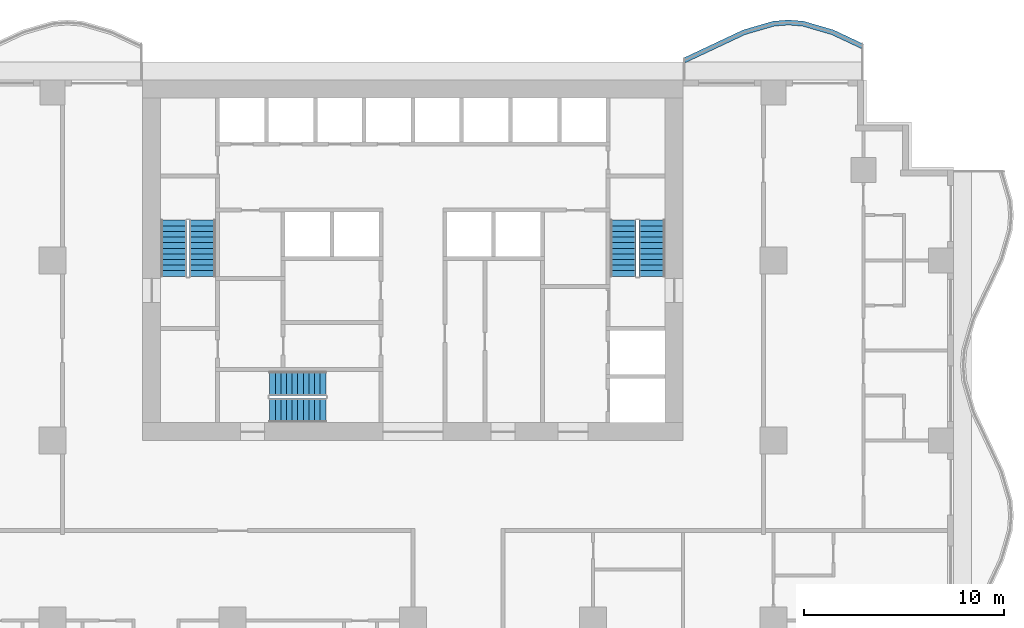
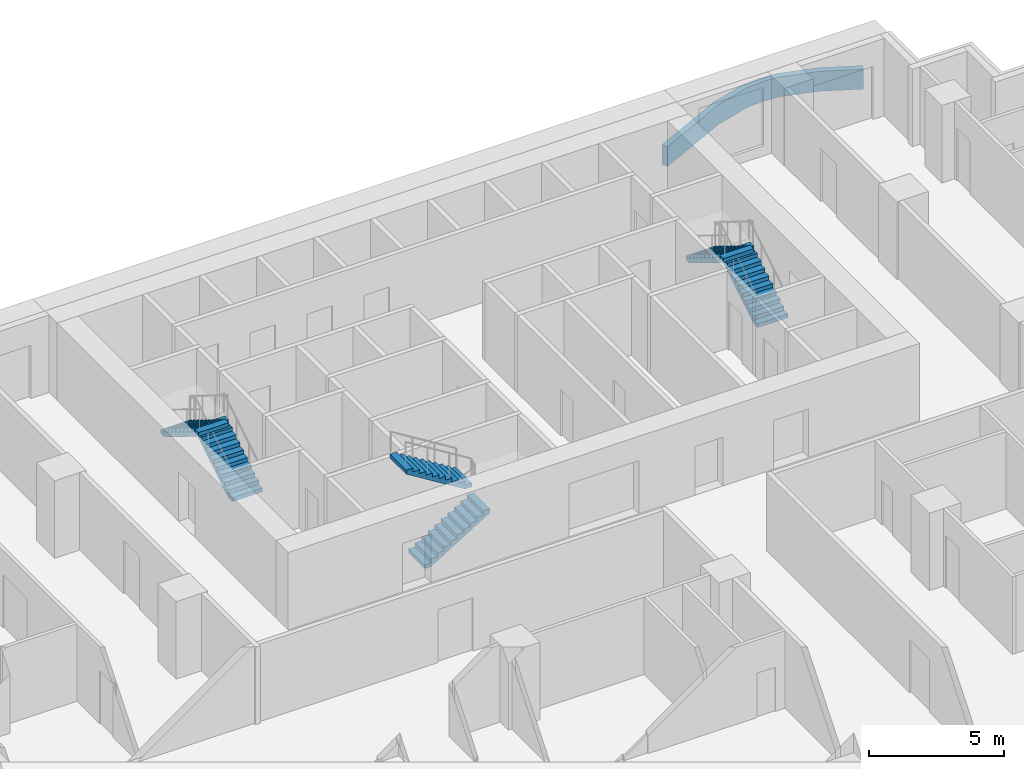
# One storey, part 7 of 14: 6 stair flights, 1 wall, 3 elements without a shape of their own.
"""IFC4 building model written with IfcOpenShell, lengths in metres."""

from ifc_helpers import new_model, si_unit, direction, frame, origin, place, context, subcontext, project, spatial, polyline, outline, extrude, material, layer, layer_set, type_object, element, aggregate, save


model = new_model("IFC4")

# Units and contexts
model_context = context("Model", 3, precision=1e-05, world=origin(), true_north=direction((0.0, 1.0)))
body_context = subcontext(model_context, "Body", "Model", "MODEL_VIEW")
ifc_project = project(units=[si_unit("LENGTHUNIT", "METRE"), si_unit("AREAUNIT", "SQUARE_METRE"), si_unit("VOLUMEUNIT", "CUBIC_METRE"), si_unit("PLANEANGLEUNIT", "RADIAN"), si_unit("MASSUNIT", "GRAM", prefix="KILO")], contexts=[model_context])

# Site, building, storey
site_placement = place(None, origin())
site = spatial("IfcSite", under=ifc_project, at=site_placement, CompositionType="ELEMENT")
building_placement = place(site_placement, origin())
building = spatial("IfcBuilding", under=site, at=building_placement, Name="Orbiselva Terraces", CompositionType="ELEMENT")
storey_placement = place(building_placement, frame((0.0, 0.0, 107.4)))
storey = spatial("IfcBuildingStorey", under=building, at=storey_placement, Name="L27", CompositionType="ELEMENT", Elevation=107.4)

# Wall
ifc_material = material(Name="Concrete C40/50", Category="concrete")
ifc_layer = layer(ifc_material, 0.25)
ifc_layer_set = layer_set([ifc_layer], Name="Concrete C40/50")
wall_type = type_object("IfcWallType", Name="ENV-PLANTER-250x900", PredefinedType="USERDEFINED", material=ifc_layer_set)
wall_placement = place(storey_placement, origin())
element("IfcWall", 1, at=wall_placement, inside=storey, type_object=wall_type, Name="Balcony planter L27 NE", ObjectType="PLANTER", PredefinedType="USERDEFINED", context=body_context, shape_type="SweptSolid", body=[
    extrude(outline(polyline([(22.5, 24.3), (21.0, 25.005342), (19.5, 25.441268), (18.75, 25.5), (18.0, 25.441268), (16.5, 25.005342), (15.0, 24.3), (13.5, 23.594658), (13.606383, 23.368422), (15.106383, 24.073764), (16.588618, 24.770753), (18.045114, 25.194035), (18.75, 25.249235), (19.454886, 25.194035), (20.911382, 24.770753), (22.393617, 24.073764), (22.5, 24.3)])), origin(), (0.0, 0.0, 1.0), 0.9),
])

# Stair, stair flights
stair_type_1 = type_object("IfcStairType", Name="CORE-STAIR-1200", PredefinedType="HALF_TURN_STAIR", material=ifc_material)
stair_1_placement = place(storey_placement, origin())
stair_1 = element("IfcStair", 2, at=stair_1_placement, inside=storey, type_object=stair_type_1, Name="L27 Exit Stair S3", PredefinedType="HALF_TURN_STAIR")
stair_flight_type_1 = type_object("IfcStairFlightType", Name="CORE-STAIR-FLIGHT-1200", PredefinedType="STRAIGHT", material=ifc_material)
stair_flight_1_placement = place(storey_placement, frame((-7.15, 6.0, 0.0), z_axis=(0.0, 0.0, 1.0), x_axis=(1.0, 0.0, 0.0)))
stair_flight_1 = element("IfcStairFlight", 3, at=stair_flight_1_placement, type_object=stair_flight_type_1, Name="S3 flight 1", NumberOfRisers=11, NumberOfTreads=10, PredefinedType="STRAIGHT", RiserHeight=0.172727273, TreadLength=0.28, context=body_context, shape_type="SweptSolid", body=[
    extrude(outline(polyline([(0.0, 0.0), (0.0, 0.172727), (0.28, 0.172727), (0.28, 0.345455), (0.56, 0.345455), (0.56, 0.518182), (0.84, 0.518182), (0.84, 0.690909), (1.12, 0.690909), (1.12, 0.863636), (1.4, 0.863636), (1.4, 1.036364), (1.68, 1.036364), (1.68, 1.209091), (1.96, 1.209091), (1.96, 1.381818), (2.24, 1.381818), (2.24, 1.554545), (2.52, 1.554545), (2.52, 1.727273), (2.8, 1.727273), (2.8, 1.9), (2.8, 1.551028), (0.285702, 0.0), (0.0, 0.0)])), frame((0.0, 0.6, 0.0), z_axis=(0.0, -1.0, 0.0), x_axis=(1.0, 0.0, 0.0)), (0.0, 0.0, 1.0), 1.2),
])
stair_flight_2_placement = place(storey_placement, frame((-4.35, 7.35, 1.9), z_axis=(0.0, 0.0, 1.0), x_axis=(-1.0, 0.0, 0.0)))
stair_flight_2 = element("IfcStairFlight", 4, at=stair_flight_2_placement, type_object=stair_flight_type_1, Name="S3 flight 2", NumberOfRisers=11, NumberOfTreads=10, PredefinedType="STRAIGHT", RiserHeight=0.172727273, TreadLength=0.28, context=body_context, shape_type="SweptSolid", body=[
    extrude(outline(polyline([(0.0, 0.0), (0.0, 0.172727), (0.28, 0.172727), (0.28, 0.345455), (0.56, 0.345455), (0.56, 0.518182), (0.84, 0.518182), (0.84, 0.690909), (1.12, 0.690909), (1.12, 0.863636), (1.4, 0.863636), (1.4, 1.036364), (1.68, 1.036364), (1.68, 1.209091), (1.96, 1.209091), (1.96, 1.381818), (2.24, 1.381818), (2.24, 1.554545), (2.52, 1.554545), (2.52, 1.727273), (2.8, 1.727273), (2.8, 1.9), (2.8, 1.551028), (0.285702, 0.0), (0.0, 0.0)])), frame((0.0, 0.6, 0.0), z_axis=(0.0, -1.0, 0.0), x_axis=(1.0, 0.0, 0.0)), (0.0, 0.0, 1.0), 1.2),
])
aggregate(stair_1, [stair_flight_1, stair_flight_2])

stair_type_2 = type_object("IfcStairType", Name="CORE-STAIR-1300", PredefinedType="HALF_TURN_STAIR", material=ifc_material)
stair_2_placement = place(storey_placement, origin())
stair_2 = element("IfcStair", 5, at=stair_2_placement, inside=storey, type_object=stair_type_2, Name="L27 Exit Stair S1", PredefinedType="HALF_TURN_STAIR")
stair_flight_type_2 = type_object("IfcStairFlightType", Name="CORE-STAIR-FLIGHT-1300", PredefinedType="STRAIGHT", material=ifc_material)
stair_flight_3_placement = place(storey_placement, frame((-10.5, 12.7, 0.0), z_axis=(0.0, 0.0, 1.0), x_axis=(0.0, 1.0, 0.0)))
stair_flight_3 = element("IfcStairFlight", 6, at=stair_flight_3_placement, type_object=stair_flight_type_2, Name="S1 flight 1", NumberOfRisers=11, NumberOfTreads=10, PredefinedType="STRAIGHT", RiserHeight=0.172727273, TreadLength=0.28, context=body_context, shape_type="SweptSolid", body=[
    extrude(outline(polyline([(0.0, 0.0), (0.0, 0.172727), (0.28, 0.172727), (0.28, 0.345455), (0.56, 0.345455), (0.56, 0.518182), (0.84, 0.518182), (0.84, 0.690909), (1.12, 0.690909), (1.12, 0.863636), (1.4, 0.863636), (1.4, 1.036364), (1.68, 1.036364), (1.68, 1.209091), (1.96, 1.209091), (1.96, 1.381818), (2.24, 1.381818), (2.24, 1.554545), (2.52, 1.554545), (2.52, 1.727273), (2.8, 1.727273), (2.8, 1.9), (2.8, 1.551028), (0.285702, 0.0), (0.0, 0.0)])), frame((0.0, 0.65, 0.0), z_axis=(0.0, -1.0, 0.0), x_axis=(1.0, 0.0, 0.0)), (0.0, 0.0, 1.0), 1.3),
])
stair_flight_4_placement = place(storey_placement, frame((-11.95, 15.5, 1.9), z_axis=(0.0, 0.0, 1.0), x_axis=(0.0, -1.0, 0.0)))
stair_flight_4 = element("IfcStairFlight", 7, at=stair_flight_4_placement, type_object=stair_flight_type_2, Name="S1 flight 2", NumberOfRisers=11, NumberOfTreads=10, PredefinedType="STRAIGHT", RiserHeight=0.172727273, TreadLength=0.28, context=body_context, shape_type="SweptSolid", body=[
    extrude(outline(polyline([(0.0, 0.0), (0.0, 0.172727), (0.28, 0.172727), (0.28, 0.345455), (0.56, 0.345455), (0.56, 0.518182), (0.84, 0.518182), (0.84, 0.690909), (1.12, 0.690909), (1.12, 0.863636), (1.4, 0.863636), (1.4, 1.036364), (1.68, 1.036364), (1.68, 1.209091), (1.96, 1.209091), (1.96, 1.381818), (2.24, 1.381818), (2.24, 1.554545), (2.52, 1.554545), (2.52, 1.727273), (2.8, 1.727273), (2.8, 1.9), (2.8, 1.551028), (0.285702, 0.0), (0.0, 0.0)])), frame((0.0, 0.65, 0.0), z_axis=(0.0, -1.0, 0.0), x_axis=(1.0, 0.0, 0.0)), (0.0, 0.0, 1.0), 1.3),
])
aggregate(stair_2, [stair_flight_3, stair_flight_4])

stair_3_placement = place(storey_placement, origin())
stair_3 = element("IfcStair", 8, at=stair_3_placement, inside=storey, type_object=stair_type_2, Name="L27 Exit Stair S2", PredefinedType="HALF_TURN_STAIR")
stair_flight_5_placement = place(storey_placement, frame((11.95, 12.7, 0.0), z_axis=(0.0, 0.0, 1.0), x_axis=(0.0, 1.0, 0.0)))
stair_flight_5 = element("IfcStairFlight", 9, at=stair_flight_5_placement, type_object=stair_flight_type_2, Name="S2 flight 1", NumberOfRisers=11, NumberOfTreads=10, PredefinedType="STRAIGHT", RiserHeight=0.172727273, TreadLength=0.28, context=body_context, shape_type="SweptSolid", body=[
    extrude(outline(polyline([(0.0, 0.0), (0.0, 0.172727), (0.28, 0.172727), (0.28, 0.345455), (0.56, 0.345455), (0.56, 0.518182), (0.84, 0.518182), (0.84, 0.690909), (1.12, 0.690909), (1.12, 0.863636), (1.4, 0.863636), (1.4, 1.036364), (1.68, 1.036364), (1.68, 1.209091), (1.96, 1.209091), (1.96, 1.381818), (2.24, 1.381818), (2.24, 1.554545), (2.52, 1.554545), (2.52, 1.727273), (2.8, 1.727273), (2.8, 1.9), (2.8, 1.551028), (0.285702, 0.0), (0.0, 0.0)])), frame((0.0, 0.65, 0.0), z_axis=(0.0, -1.0, 0.0), x_axis=(1.0, 0.0, 0.0)), (0.0, 0.0, 1.0), 1.3),
])
stair_flight_6_placement = place(storey_placement, frame((10.5, 15.5, 1.9), z_axis=(0.0, 0.0, 1.0), x_axis=(0.0, -1.0, 0.0)))
stair_flight_6 = element("IfcStairFlight", 10, at=stair_flight_6_placement, type_object=stair_flight_type_2, Name="S2 flight 2", NumberOfRisers=11, NumberOfTreads=10, PredefinedType="STRAIGHT", RiserHeight=0.172727273, TreadLength=0.28, context=body_context, shape_type="SweptSolid", body=[
    extrude(outline(polyline([(0.0, 0.0), (0.0, 0.172727), (0.28, 0.172727), (0.28, 0.345455), (0.56, 0.345455), (0.56, 0.518182), (0.84, 0.518182), (0.84, 0.690909), (1.12, 0.690909), (1.12, 0.863636), (1.4, 0.863636), (1.4, 1.036364), (1.68, 1.036364), (1.68, 1.209091), (1.96, 1.209091), (1.96, 1.381818), (2.24, 1.381818), (2.24, 1.554545), (2.52, 1.554545), (2.52, 1.727273), (2.8, 1.727273), (2.8, 1.9), (2.8, 1.551028), (0.285702, 0.0), (0.0, 0.0)])), frame((0.0, 0.65, 0.0), z_axis=(0.0, -1.0, 0.0), x_axis=(1.0, 0.0, 0.0)), (0.0, 0.0, 1.0), 1.3),
])
aggregate(stair_3, [stair_flight_5, stair_flight_6])

save(model, "model.ifc")
